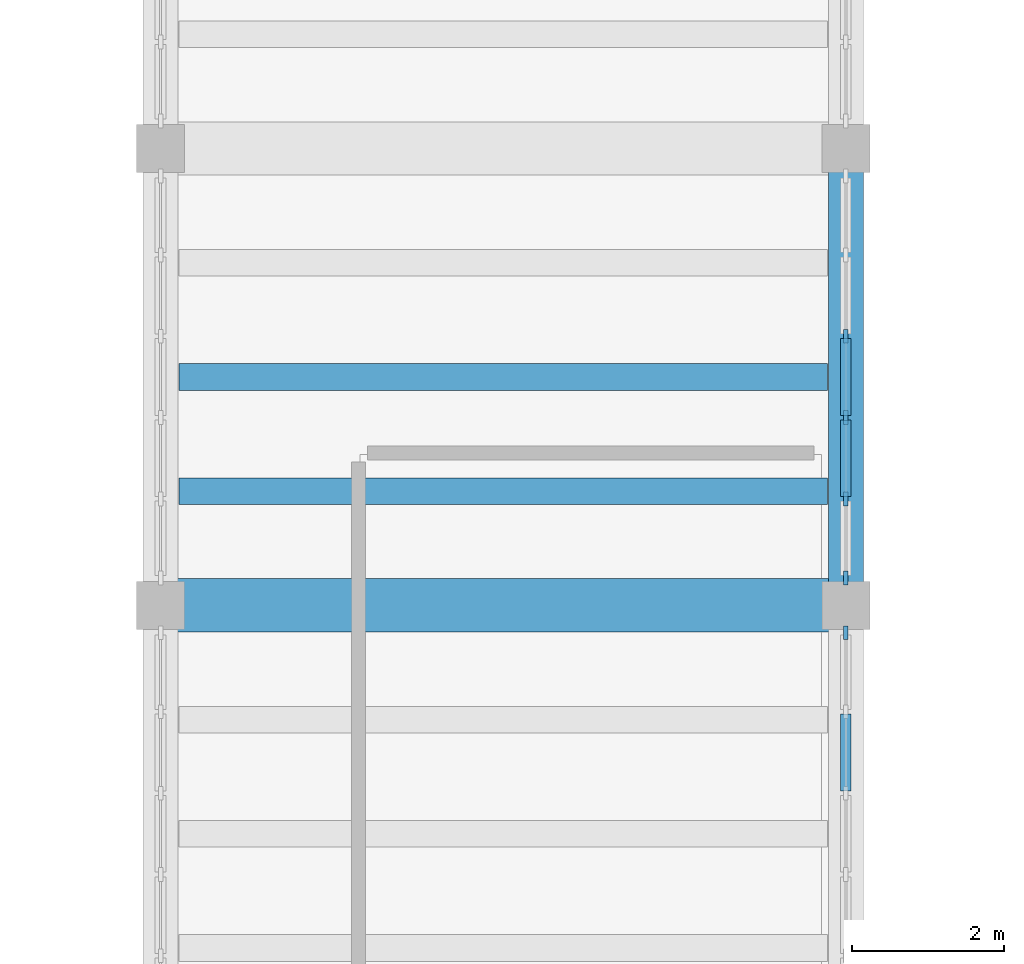
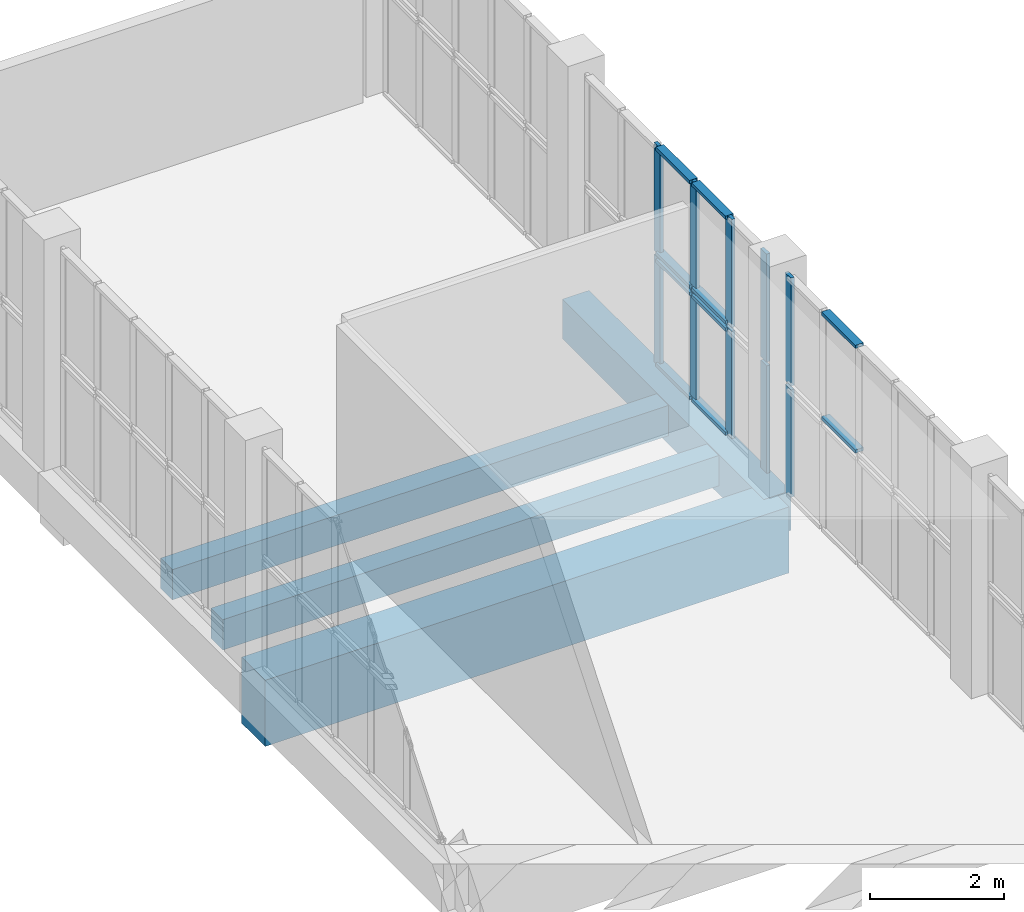
# One storey, part 7 of 85: 20 members, 4 beams, 4 elements without a shape of their own.
"""IFC4 building model written with IfcOpenShell, lengths in metres."""

from ifc_helpers import new_model, si_unit, direction, frame, origin, origin_2d, place, context, subcontext, project, spatial, rectangle, extrude, material, layer, layer_set, material_profile, profile_set, type_object, element, aggregate, save


model = new_model("IFC4")

# Units and contexts
model_context = context("Model", 3, precision=1e-05, world=origin(), true_north=direction((0.0, 1.0)))
body_context = subcontext(model_context, "Body", "Model", "MODEL_VIEW")
ifc_project = project(units=[si_unit("LENGTHUNIT", "METRE"), si_unit("AREAUNIT", "SQUARE_METRE"), si_unit("VOLUMEUNIT", "CUBIC_METRE"), si_unit("PLANEANGLEUNIT", "RADIAN"), si_unit("MASSUNIT", "GRAM", prefix="KILO")], contexts=[model_context])

# Site, building, storey
site_placement = place(None, origin())
site = spatial("IfcSite", under=ifc_project, at=site_placement, CompositionType="ELEMENT")
building_placement = place(site_placement, origin())
building = spatial("IfcBuilding", under=site, at=building_placement, Name="Solvane Community Centre", CompositionType="ELEMENT")
storey_placement = place(building_placement, frame((0.0, 0.0, 5.39990234375)))
storey = spatial("IfcBuildingStorey", under=building, at=storey_placement, Name="L01", CompositionType="ELEMENT", Elevation=5.39990234375)

# Curtain wall, member
ifc_material_1 = material(Name="Anodised bronze aluminium AW-6063 T6", Category="aluminium")
ifc_layer_1 = layer(ifc_material_1, 0.179931640625)
ifc_layer_set_1 = layer_set([ifc_layer_1], Name="Anodised bronze aluminium AW-6063 T6")
curtain_wall_type_1 = type_object("IfcCurtainWallType", Name="Hall Translucent Upper Curtain Wall [53x19dm]", PredefinedType="NOTDEFINED", material=ifc_layer_set_1)
curtain_wall_1_placement = place(storey_placement, origin())
curtain_wall_1 = element("IfcCurtainWall", 1, at=curtain_wall_1_placement, inside=storey, type_object=curtain_wall_type_1, Name="Curtain Wall CW-L01-360_603-049", PredefinedType="NOTDEFINED")
ifc_material_profile_1 = material_profile(ifc_material_1, rectangle(XDim=0.06005859375, YDim=0.179931640625, at=origin_2d()), Name="CW-M 60x180")
ifc_profile_set_1 = profile_set([ifc_material_profile_1], Name="Anodised bronze aluminium AW-6063 T6")
member_type_1 = type_object("IfcMemberType", Name="Hall Mullion 60x180", PredefinedType="MULLION", material=ifc_profile_set_1)
member_1_placement = place(storey_placement, frame((36.0, 65.639892578125, 0.0), z_axis=(0.0, 0.0, 1.0), x_axis=(-1.0, 0.0, 0.0)))
member_1 = element("IfcMember", 2, at=member_1_placement, type_object=member_type_1, Name="CW01-53x19 mullion 6", PredefinedType="MULLION", context=body_context, shape_type="SweptSolid", body=[
    extrude(rectangle(XDim=0.06005859375, YDim=0.179931640625, at=origin_2d()), origin(), (0.0, 0.0, 1.0), 1.9501953125),
])
aggregate(curtain_wall_1, [member_1])

ifc_layer_2 = layer(ifc_material_1, 0.179931640625)
ifc_layer_set_2 = layer_set([ifc_layer_2], Name="Anodised bronze aluminium AW-6063 T6")
curtain_wall_type_2 = type_object("IfcCurtainWallType", Name="Hall Translucent Upper Curtain Wall [53x20dm]", PredefinedType="NOTDEFINED", material=ifc_layer_set_2)
curtain_wall_2_placement = place(storey_placement, origin())
curtain_wall_2 = element("IfcCurtainWall", 3, at=curtain_wall_2_placement, inside=storey, type_object=curtain_wall_type_2, Name="Curtain Wall CW-L01-360_603-050", PredefinedType="NOTDEFINED")
member_2_placement = place(storey_placement, frame((36.0, 65.639892578125, 2.02001953125), z_axis=(0.0, 0.0, 1.0), x_axis=(-1.0, 0.0, 0.0)))
member_2 = element("IfcMember", 4, at=member_2_placement, type_object=member_type_1, Name="CW01-53x20 mullion 6", PredefinedType="MULLION", context=body_context, shape_type="SweptSolid", body=[
    extrude(rectangle(XDim=0.06005859375, YDim=0.179931640625, at=origin_2d()), origin(), (0.0, 0.0, 1.0), 1.9599609375),
])

# Curtain wall, members
curtain_wall_3_placement = place(storey_placement, origin())
curtain_wall_3 = element("IfcCurtainWall", 5, at=curtain_wall_3_placement, inside=storey, type_object=curtain_wall_type_1, Name="Curtain Wall CW-L01-360_663-057", PredefinedType="NOTDEFINED")
member_3_placement = place(storey_placement, frame((36.0, 66.360107421875, 0.0), z_axis=(0.0, 0.0, 1.0), x_axis=(-1.0, 0.0, 0.0)))
member_3 = element("IfcMember", 6, at=member_3_placement, type_object=member_type_1, Name="CW01-53x19 mullion 1", PredefinedType="MULLION", context=body_context, shape_type="SweptSolid", body=[
    extrude(rectangle(XDim=0.06005859375, YDim=0.179931640625, at=origin_2d()), origin(), (0.0, 0.0, 1.0), 1.9501953125),
])
member_4_placement = place(storey_placement, frame((36.0, 67.39794921875, 0.0), z_axis=(0.0, 0.0, 1.0), x_axis=(-1.0, 0.0, 0.0)))
member_4 = element("IfcMember", 7, at=member_4_placement, type_object=member_type_1, Name="CW01-53x19 mullion 2", PredefinedType="MULLION", context=body_context, shape_type="SweptSolid", body=[
    extrude(rectangle(XDim=0.06005859375, YDim=0.179931640625, at=origin_2d()), origin(), (0.0, 0.0, 1.0), 1.9501953125),
])
member_5_placement = place(storey_placement, frame((36.0, 68.466064453125, 0.0), z_axis=(0.0, 0.0, 1.0), x_axis=(-1.0, 0.0, 0.0)))
member_5 = element("IfcMember", 8, at=member_5_placement, type_object=member_type_1, Name="CW01-53x19 mullion 3", PredefinedType="MULLION", context=body_context, shape_type="SweptSolid", body=[
    extrude(rectangle(XDim=0.06005859375, YDim=0.179931640625, at=origin_2d()), origin(), (0.0, 0.0, 1.0), 1.9501953125),
])
member_6_placement = place(storey_placement, frame((36.0, 69.533935546875, 0.0), z_axis=(0.0, 0.0, 1.0), x_axis=(-1.0, 0.0, 0.0)))
member_6 = element("IfcMember", 9, at=member_6_placement, type_object=member_type_1, Name="CW01-53x19 mullion 4", PredefinedType="MULLION", context=body_context, shape_type="SweptSolid", body=[
    extrude(rectangle(XDim=0.06005859375, YDim=0.179931640625, at=origin_2d()), origin(), (0.0, 0.0, 1.0), 1.9501953125),
])

curtain_wall_4_placement = place(storey_placement, origin())
curtain_wall_4 = element("IfcCurtainWall", 10, at=curtain_wall_4_placement, inside=storey, type_object=curtain_wall_type_2, Name="Curtain Wall CW-L01-360_663-058", PredefinedType="NOTDEFINED")
member_7_placement = place(storey_placement, frame((36.0, 66.360107421875, 2.02001953125), z_axis=(0.0, 0.0, 1.0), x_axis=(-1.0, 0.0, 0.0)))
member_7 = element("IfcMember", 11, at=member_7_placement, type_object=member_type_1, Name="CW01-53x20 mullion 1", PredefinedType="MULLION", context=body_context, shape_type="SweptSolid", body=[
    extrude(rectangle(XDim=0.06005859375, YDim=0.179931640625, at=origin_2d()), origin(), (0.0, 0.0, 1.0), 1.9599609375),
])
member_8_placement = place(storey_placement, frame((36.0, 67.39794921875, 2.02001953125), z_axis=(0.0, 0.0, 1.0), x_axis=(-1.0, 0.0, 0.0)))
member_8 = element("IfcMember", 12, at=member_8_placement, type_object=member_type_1, Name="CW01-53x20 mullion 2", PredefinedType="MULLION", context=body_context, shape_type="SweptSolid", body=[
    extrude(rectangle(XDim=0.06005859375, YDim=0.179931640625, at=origin_2d()), origin(), (0.0, 0.0, 1.0), 1.9599609375),
])
member_9_placement = place(storey_placement, frame((36.0, 68.466064453125, 2.02001953125), z_axis=(0.0, 0.0, 1.0), x_axis=(-1.0, 0.0, 0.0)))
member_9 = element("IfcMember", 13, at=member_9_placement, type_object=member_type_1, Name="CW01-53x20 mullion 3", PredefinedType="MULLION", context=body_context, shape_type="SweptSolid", body=[
    extrude(rectangle(XDim=0.06005859375, YDim=0.179931640625, at=origin_2d()), origin(), (0.0, 0.0, 1.0), 1.9599609375),
])
member_10_placement = place(storey_placement, frame((36.0, 69.533935546875, 2.02001953125), z_axis=(0.0, 0.0, 1.0), x_axis=(-1.0, 0.0, 0.0)))
member_10 = element("IfcMember", 14, at=member_10_placement, type_object=member_type_1, Name="CW01-53x20 mullion 4", PredefinedType="MULLION", context=body_context, shape_type="SweptSolid", body=[
    extrude(rectangle(XDim=0.06005859375, YDim=0.179931640625, at=origin_2d()), origin(), (0.0, 0.0, 1.0), 1.9599609375),
])

# Member
ifc_material_profile_2 = material_profile(ifc_material_1, rectangle(XDim=0.139892578125, YDim=0.06005859375, at=origin_2d()), Name="CW-T 60x140")
ifc_profile_set_2 = profile_set([ifc_material_profile_2], Name="Anodised bronze aluminium AW-6063 T6")
member_type_2 = type_object("IfcMemberType", Name="Hall Transom 60x140", PredefinedType="USERDEFINED", material=ifc_profile_set_2)
member_11_placement = place(storey_placement, frame((36.0, 63.56396484375, 2.050048828125), z_axis=(0.0, 1.0, 0.0), x_axis=(-1.0, 0.0, 0.0)))
member_11 = element("IfcMember", 15, at=member_11_placement, type_object=member_type_2, Name="CW01-53x20 transom 4.1", ObjectType="TRANSOM", PredefinedType="USERDEFINED", context=body_context, shape_type="SweptSolid", body=[
    extrude(rectangle(XDim=0.139892578125, YDim=0.06005859375, at=origin_2d()), origin(), (0.0, 0.0, 1.0), 1.008056640625),
])

member_12_placement = place(storey_placement, frame((36.0, 63.56396484375, 3.9501953125), z_axis=(0.0, 1.0, 0.0), x_axis=(-1.0, 0.0, 0.0)))
member_12 = element("IfcMember", 16, at=member_12_placement, type_object=member_type_2, Name="CW01-53x20 transom 4.2", ObjectType="TRANSOM", PredefinedType="USERDEFINED", context=body_context, shape_type="SweptSolid", body=[
    extrude(rectangle(XDim=0.139892578125, YDim=0.06005859375, at=origin_2d()), origin(), (0.0, 0.0, 1.0), 1.008056640625),
])

aggregate(curtain_wall_2, [member_2, member_11, member_12])

member_13_placement = place(storey_placement, frame((36.0, 67.427978515625, 0.030029296875), z_axis=(0.0, 1.0, 0.0), x_axis=(-1.0, 0.0, 0.0)))
member_13 = element("IfcMember", 17, at=member_13_placement, type_object=member_type_2, Name="CW01-53x19 transom 2.1", ObjectType="TRANSOM", PredefinedType="USERDEFINED", context=body_context, shape_type="SweptSolid", body=[
    extrude(rectangle(XDim=0.139892578125, YDim=0.06005859375, at=origin_2d()), origin(), (0.0, 0.0, 1.0), 1.008056640625),
])

member_14_placement = place(storey_placement, frame((36.0, 67.427978515625, 1.920166015625), z_axis=(0.0, 1.0, 0.0), x_axis=(-1.0, 0.0, 0.0)))
member_14 = element("IfcMember", 18, at=member_14_placement, type_object=member_type_2, Name="CW01-53x19 transom 2.2", ObjectType="TRANSOM", PredefinedType="USERDEFINED", context=body_context, shape_type="SweptSolid", body=[
    extrude(rectangle(XDim=0.139892578125, YDim=0.06005859375, at=origin_2d()), origin(), (0.0, 0.0, 1.0), 1.008056640625),
])

member_15_placement = place(storey_placement, frame((36.0, 68.49609375, 0.030029296875), z_axis=(0.0, 1.0, 0.0), x_axis=(-1.0, 0.0, 0.0)))
member_15 = element("IfcMember", 19, at=member_15_placement, type_object=member_type_2, Name="CW01-53x19 transom 3.1", ObjectType="TRANSOM", PredefinedType="USERDEFINED", context=body_context, shape_type="SweptSolid", body=[
    extrude(rectangle(XDim=0.139892578125, YDim=0.06005859375, at=origin_2d()), origin(), (0.0, 0.0, 1.0), 1.0078125),
])

member_16_placement = place(storey_placement, frame((36.0, 68.49609375, 1.920166015625), z_axis=(0.0, 1.0, 0.0), x_axis=(-1.0, 0.0, 0.0)))
member_16 = element("IfcMember", 20, at=member_16_placement, type_object=member_type_2, Name="CW01-53x19 transom 3.2", ObjectType="TRANSOM", PredefinedType="USERDEFINED", context=body_context, shape_type="SweptSolid", body=[
    extrude(rectangle(XDim=0.139892578125, YDim=0.06005859375, at=origin_2d()), origin(), (0.0, 0.0, 1.0), 1.0078125),
])

aggregate(curtain_wall_3, [member_3, member_4, member_5, member_6, member_13, member_14, member_15, member_16])

member_17_placement = place(storey_placement, frame((36.0, 67.427978515625, 2.050048828125), z_axis=(0.0, 1.0, 0.0), x_axis=(-1.0, 0.0, 0.0)))
member_17 = element("IfcMember", 21, at=member_17_placement, type_object=member_type_2, Name="CW01-53x20 transom 2.1", ObjectType="TRANSOM", PredefinedType="USERDEFINED", context=body_context, shape_type="SweptSolid", body=[
    extrude(rectangle(XDim=0.139892578125, YDim=0.06005859375, at=origin_2d()), origin(), (0.0, 0.0, 1.0), 1.008056640625),
])

member_18_placement = place(storey_placement, frame((36.0, 67.427978515625, 3.9501953125), z_axis=(0.0, 1.0, 0.0), x_axis=(-1.0, 0.0, 0.0)))
member_18 = element("IfcMember", 22, at=member_18_placement, type_object=member_type_2, Name="CW01-53x20 transom 2.2", ObjectType="TRANSOM", PredefinedType="USERDEFINED", context=body_context, shape_type="SweptSolid", body=[
    extrude(rectangle(XDim=0.139892578125, YDim=0.06005859375, at=origin_2d()), origin(), (0.0, 0.0, 1.0), 1.008056640625),
])

member_19_placement = place(storey_placement, frame((36.0, 68.49609375, 2.050048828125), z_axis=(0.0, 1.0, 0.0), x_axis=(-1.0, 0.0, 0.0)))
member_19 = element("IfcMember", 23, at=member_19_placement, type_object=member_type_2, Name="CW01-53x20 transom 3.1", ObjectType="TRANSOM", PredefinedType="USERDEFINED", context=body_context, shape_type="SweptSolid", body=[
    extrude(rectangle(XDim=0.139892578125, YDim=0.06005859375, at=origin_2d()), origin(), (0.0, 0.0, 1.0), 1.0078125),
])

member_20_placement = place(storey_placement, frame((36.0, 68.49609375, 3.9501953125), z_axis=(0.0, 1.0, 0.0), x_axis=(-1.0, 0.0, 0.0)))
member_20 = element("IfcMember", 24, at=member_20_placement, type_object=member_type_2, Name="CW01-53x20 transom 3.2", ObjectType="TRANSOM", PredefinedType="USERDEFINED", context=body_context, shape_type="SweptSolid", body=[
    extrude(rectangle(XDim=0.139892578125, YDim=0.06005859375, at=origin_2d()), origin(), (0.0, 0.0, 1.0), 1.0078125),
])

aggregate(curtain_wall_4, [member_7, member_8, member_9, member_10, member_17, member_18, member_19, member_20])

# Beams
ifc_material_2 = material(Name="Concrete C35/45", Category="concrete")
ifc_material_profile_3 = material_profile(ifc_material_2, rectangle(XDim=0.4599609375, YDim=0.719970703125, at=origin_2d()), Name="RC 460x720")
ifc_profile_set_3 = profile_set([ifc_material_profile_3], Name="Concrete C35/45")
beam_type_1 = type_object("IfcBeamType", Name="RC Cloister Beam 460x720", PredefinedType="BEAM", material=ifc_profile_set_3)
beam_1_placement = place(storey_placement, frame((36.0, 66.0, -0.599853515625), z_axis=(0.0, 1.0, 0.0), x_axis=(-1.0, 0.0, 0.0)))
element("IfcBeam", 25, at=beam_1_placement, inside=storey, type_object=beam_type_1, Name="Beam BM-L01-360_660-360_720", PredefinedType="BEAM", context=body_context, shape_type="SweptSolid", body=[
    extrude(rectangle(XDim=0.4599609375, YDim=0.719970703125, at=origin_2d()), origin(), (0.0, 0.0, 1.0), 6.0),
])
ifc_material_profile_4 = material_profile(ifc_material_2, rectangle(XDim=0.35009765625, YDim=0.550048828125, at=origin_2d()), Name="RC 350x550")
ifc_profile_set_4 = profile_set([ifc_material_profile_4], Name="Concrete C35/45")
beam_type_2 = type_object("IfcBeamType", Name="RC Secondary Joist 350x550", PredefinedType="JOIST", material=ifc_profile_set_4)
for number, where, z_axis, x_axis, name in (
    (26, (27.239990234375, 67.5, -0.514892578125), (1.0, 0.0, 0.0), (0.0, 1.0, 0.0), "Beam BM-L01-272_675-358_675"),
    (27, (27.239990234375, 69.0, -0.514892578125), (1.0, 0.0, 0.0), (0.0, 1.0, 0.0), "Beam BM-L01-272_690-358_690"),
):
    element("IfcBeam", number, at=place(storey_placement, frame(where, z_axis=z_axis, x_axis=x_axis)), inside=storey, type_object=beam_type_2, Name=name, PredefinedType="JOIST", context=body_context, shape_type="SweptSolid", body=[
        extrude(rectangle(XDim=0.35009765625, YDim=0.550048828125, at=origin_2d()), origin(), (0.0, 0.0, 1.0), 8.52001953125),
    ])
ifc_material_profile_5 = material_profile(ifc_material_2, rectangle(XDim=0.699951171875, YDim=1.199951171875, at=origin_2d()), Name="RC 700x1200")
ifc_profile_set_5 = profile_set([ifc_material_profile_5], Name="Concrete C35/45")
beam_type_3 = type_object("IfcBeamType", Name="RC Transfer Girder 700x1200", PredefinedType="USERDEFINED", material=ifc_profile_set_5)
beam_2_placement = place(storey_placement, frame((27.0, 66.0, -0.83984375), z_axis=(1.0, 0.0, 0.0), x_axis=(0.0, 1.0, 0.0)))
element("IfcBeam", 28, at=beam_2_placement, inside=storey, type_object=beam_type_3, Name="Beam BM-L01-270_660-360_660", ObjectType="GIRDER", PredefinedType="USERDEFINED", context=body_context, shape_type="SweptSolid", body=[
    extrude(rectangle(XDim=0.699951171875, YDim=1.199951171875, at=origin_2d()), origin(), (0.0, 0.0, 1.0), 9.0),
])

save(model, "model.ifc")
